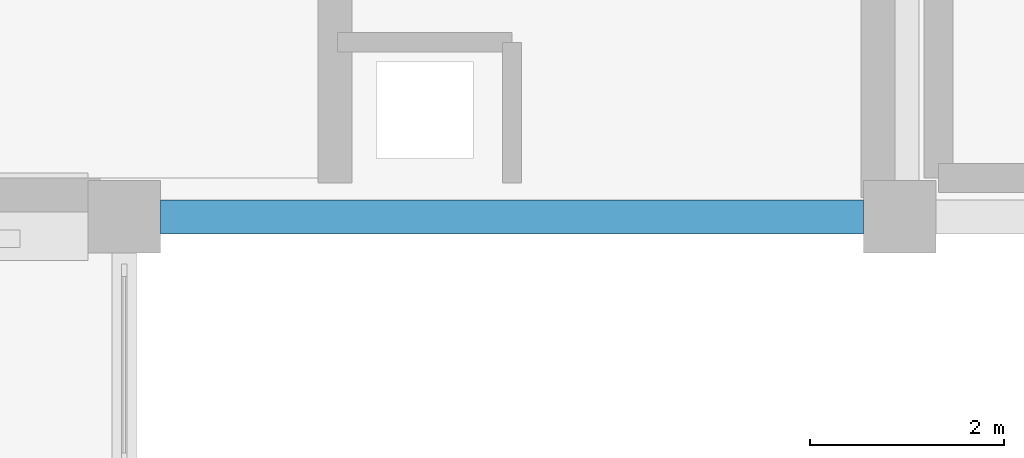
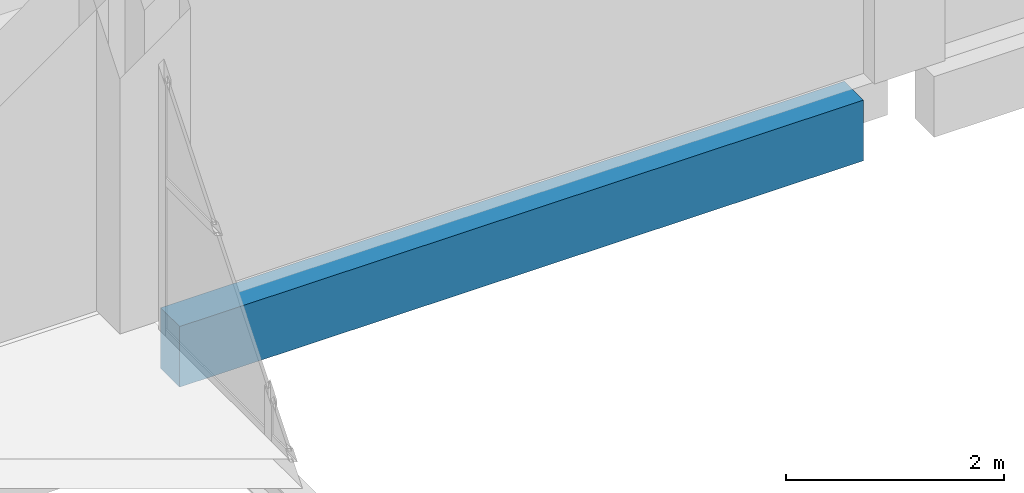
# One storey, part 12 of 53: 1 beam.
"""IFC4 building model written with IfcOpenShell, lengths in metres."""

import ifcopenshell
import ifcopenshell.guid

model = None  # the IFC model being written
_history = None  # IfcOwnerHistory: only IFC2X3 demands one
_inside = {}  # id of a spatial element -> (the spatial element, [elements in it])
_under = {}  # id of a project, library or spatial element -> (it, [spatial elements below it])
_declared = {}  # id of a project -> (the project, [libraries it declares])
_typed = {}  # id of a type object -> (the type object, [elements of that type])
_made_of = {}  # id of a material, layer set ... -> (it, [elements and type objects made of it])


def new_model(schema):
    """Start an empty IFC model of exactly this schema.

    Asked for "IFC4X3", IfcOpenShell would pick the latest addendum, in which some entities
    have other attributes; the version numbers below select the first issue.
    IFC2X3 requires an IfcOwnerHistory on every rooted entity: one is made here for all.
    """
    global model, _history
    if schema == "IFC4X3":
        model = ifcopenshell.file(schema_version=(4, 3, 0, 0))
    else:
        model = ifcopenshell.file(schema=schema)
    _inside.clear()
    _under.clear()
    _declared.clear()
    _typed.clear()
    _made_of.clear()
    _history = None
    if model.schema == "IFC2X3":
        org = make("IfcOrganization", Name="unknown")
        user = make(
            "IfcPersonAndOrganization",
            ThePerson=make("IfcPerson", FamilyName="unknown"),
            TheOrganization=org,
        )
        app = make(
            "IfcApplication",
            ApplicationDeveloper=org,
            Version="unknown",
            ApplicationFullName="unknown",
            ApplicationIdentifier="unknown",
        )
        _history = make(
            "IfcOwnerHistory",
            OwningUser=user,
            OwningApplication=app,
            ChangeAction="ADDED",
            CreationDate=0,
        )
    return model


def make(cls, **values):
    """One entity of the class cls with the attributes given. An attribute that is None is left unset."""
    return model.create_entity(
        cls, **{name: value for name, value in values.items() if value is not None}
    )


def rooted(cls, **values):
    """An entity with a GlobalId (a new one), such as an element, a storey or a relation."""
    return make(cls, GlobalId=ifcopenshell.guid.new(), OwnerHistory=_history, **values)


def si_unit(unit_type, name, prefix=None):
    """IfcSIUnit, for example si_unit("LENGTHUNIT", "METRE", prefix="MILLI")."""
    return make("IfcSIUnit", UnitType=unit_type, Prefix=prefix, Name=name)


def assignment(units):
    """IfcUnitAssignment: the units of a project."""
    return None if units is None else make("IfcUnitAssignment", Units=units)


def point(xyz):
    """IfcCartesianPoint."""
    return None if xyz is None else make("IfcCartesianPoint", Coordinates=xyz)


def direction(xyz):
    """IfcDirection."""
    return None if xyz is None else make("IfcDirection", DirectionRatios=xyz)


def frame(location, z_axis=None, x_axis=None):
    """IfcAxis2Placement3D, a coordinate frame: its origin and axes. An axis left out is left unset."""
    return make(
        "IfcAxis2Placement3D",
        Location=point(location),
        Axis=direction(z_axis),
        RefDirection=direction(x_axis),
    )


def frame_2d(location, x_axis=None):
    """IfcAxis2Placement2D, a coordinate frame in the plane: its origin and x axis."""
    return make(
        "IfcAxis2Placement2D", Location=point(location), RefDirection=direction(x_axis)
    )


def origin():
    """The frame at (0, 0, 0) with its axes left unset."""
    return frame((0.0, 0.0, 0.0))


def origin_2d():
    """The frame at (0, 0) in the plane with its x axis left unset."""
    return frame_2d((0.0, 0.0))


def place(relative_to, where):
    """IfcLocalPlacement: puts the frame where relative to a parent placement (None: the world)."""
    return make(
        "IfcLocalPlacement", PlacementRelTo=relative_to, RelativePlacement=where
    )


def context(
    kind, dimensions, precision=None, world=None, true_north=None, identifier=None
):
    """IfcGeometricRepresentationContext, for example the 3D "Model" context."""
    return make(
        "IfcGeometricRepresentationContext",
        ContextIdentifier=identifier,
        ContextType=kind,
        CoordinateSpaceDimension=dimensions,
        Precision=precision,
        WorldCoordinateSystem=world,
        TrueNorth=true_north,
    )


def subcontext(parent, identifier, kind, view, scale=None):
    """IfcGeometricRepresentationSubContext, for example "Body" below "Model"."""
    return make(
        "IfcGeometricRepresentationSubContext",
        ContextIdentifier=identifier,
        ContextType=kind,
        ParentContext=parent,
        TargetScale=scale,
        TargetView=view,
    )


def project(units=None, contexts=None):
    """IfcProject with its units and contexts."""
    return rooted(
        "IfcProject",
        Name="project",
        RepresentationContexts=contexts,
        UnitsInContext=assignment(units),
    )


def spatial(cls, under=None, at=None, **own):
    """A site, building, storey or space (cls), placed at a placement, below another one or the project."""
    s = rooted(cls, ObjectPlacement=at, **own)
    if under is not None:
        _under.setdefault(under.id(), (under, []))[1].append(s)
    return s


def profile(cls, at=None, kind="AREA", **sizes):
    """A parametric profile (cls). Its sizes go by their IFC names, for example OverallWidth=200.0."""
    return make(cls, ProfileType=kind, Position=at, **sizes)


def rectangle(**sizes):
    """IfcRectangleProfileDef."""
    return profile("IfcRectangleProfileDef", **sizes)


def extrude(swept, where, along, depth):
    """IfcExtrudedAreaSolid: the profile swept, set in the frame where, extruded along a direction by depth."""
    return make(
        "IfcExtrudedAreaSolid",
        SweptArea=swept,
        Position=where,
        ExtrudedDirection=direction(along),
        Depth=depth,
    )


def shape(context_of_items, identifier, shape_type, items):
    """IfcShapeRepresentation: the items that make up one representation, for example the "Body"."""
    return make(
        "IfcShapeRepresentation",
        ContextOfItems=context_of_items,
        RepresentationIdentifier=identifier,
        RepresentationType=shape_type,
        Items=items,
    )


def material(Name=None, Category=None):
    """IfcMaterial."""
    return make("IfcMaterial", Name=Name, Category=Category)


def material_profile(
    of_material, cross_section, Name=None, Category=None, Priority=None
):
    """IfcMaterialProfile: a cross section and its material."""
    return make(
        "IfcMaterialProfile",
        Name=Name,
        Material=of_material,
        Profile=cross_section,
        Priority=Priority,
        Category=Category,
    )


def profile_set(profiles, Name=None, composite=None):
    """IfcMaterialProfileSet."""
    return make(
        "IfcMaterialProfileSet",
        Name=Name,
        MaterialProfiles=profiles,
        CompositeProfile=composite,
    )


def made_of(thing, what):
    """Note that an element or type object is made of a material, layer set ...; save() writes the relation."""
    if what is not None:
        _made_of.setdefault(what.id(), (what, []))[1].append(thing)
    return thing


def type_object(cls, material=None, **own):
    """A type object (cls), such as IfcWallType, which elements share."""
    return made_of(rooted(cls, **own), material)


def element(
    cls,
    number,
    at=None,
    inside=None,
    cuts=None,
    type_object=None,
    material=None,
    context=None,
    identifier="Body",
    shape_type=None,
    held_by="IfcProductDefinitionShape",
    body=None,
    shapes=None,
    **own,
):
    """One element of the class cls, such as IfcWall. Its Tag is "e" and its number.

    at: its placement. inside: the storey or other place that contains it. cuts: it is an
    opening in that element (IfcRelVoidsElement). A single representation is given by context,
    identifier, shape_type and body (its items); several are given by shapes. held_by: the class
    of the entity that holds the representations. save() writes the other relations.
    """
    e = rooted(cls, Tag="e%d" % number, ObjectPlacement=at, **own)
    if body is not None:
        shapes = [shape(context, identifier, shape_type, body)]
    if shapes is not None:
        e.Representation = make(held_by, Representations=shapes)
    if inside is not None:
        _inside.setdefault(inside.id(), (inside, []))[1].append(e)
    if cuts is not None:
        rooted(
            "IfcRelVoidsElement", RelatingBuildingElement=cuts, RelatedOpeningElement=e
        )
    if type_object is not None:
        _typed.setdefault(type_object.id(), (type_object, []))[1].append(e)
    return made_of(e, material)


def aggregate(whole, parts):
    """IfcRelAggregates: a whole, such as a stair, and the parts it consists of."""
    return rooted("IfcRelAggregates", RelatingObject=whole, RelatedObjects=parts)


def save(model, path):
    """Write the relations noted so far, then the file.

    IfcRelAggregates (storeys below a building ...), IfcRelContainedInSpatialStructure (elements
    in a storey), IfcRelDefinesByType, IfcRelAssociatesMaterial and IfcRelDeclares: one each for
    every whole, place, type object, material and project.
    """
    for whole, parts in _under.values():
        aggregate(whole, parts)
    for where, things in _inside.values():
        rooted(
            "IfcRelContainedInSpatialStructure",
            RelatedElements=things,
            RelatingStructure=where,
        )
    for kind, things in _typed.values():
        rooted("IfcRelDefinesByType", RelatedObjects=things, RelatingType=kind)
    for what, things in _made_of.values():
        rooted("IfcRelAssociatesMaterial", RelatedObjects=things, RelatingMaterial=what)
    for by, libraries in _declared.values():
        rooted("IfcRelDeclares", RelatingContext=by, RelatedDefinitions=libraries)
    model.write(path)


model = new_model("IFC4")

# Units and contexts
model_context = context("Model", 3, precision=1e-05, world=origin(), true_north=direction((0.0, 1.0)))
body_context = subcontext(model_context, "Body", "Model", "MODEL_VIEW")
ifc_project = project(units=[si_unit("LENGTHUNIT", "METRE"), si_unit("AREAUNIT", "SQUARE_METRE"), si_unit("VOLUMEUNIT", "CUBIC_METRE"), si_unit("PLANEANGLEUNIT", "RADIAN"), si_unit("MASSUNIT", "GRAM", prefix="KILO")], contexts=[model_context])

# Site, building, storey
site_placement = place(None, origin())
site = spatial("IfcSite", under=ifc_project, at=site_placement, CompositionType="ELEMENT")
building_placement = place(site_placement, origin())
building = spatial("IfcBuilding", under=site, at=building_placement, Name="Qorikala Patio Media Centre", CompositionType="ELEMENT")
storey_placement = place(building_placement, frame((0.0, 0.0, 5.39990234375)))
storey = spatial("IfcBuildingStorey", under=building, at=storey_placement, Name="L01", CompositionType="ELEMENT", Elevation=5.39990234375)

# Beam
ifc_material = material(Name="Concrete C35/45", Category="concrete")
ifc_material_profile = material_profile(ifc_material, rectangle(XDim=0.35009765625, YDim=0.679931640625, at=origin_2d()), Name="RC 350x680")
ifc_profile_set = profile_set([ifc_material_profile], Name="Concrete C35/45")
beam_type = type_object("IfcBeamType", Name="SP-350X680", PredefinedType="SPANDREL", material=ifc_profile_set)
beam_placement = place(storey_placement, frame((59.375, 64.0, -0.639892578125), z_axis=(1.0, 0.0, 0.0), x_axis=(0.0, 1.0, 0.0)))
element("IfcBeam", 1, at=beam_placement, inside=storey, type_object=beam_type, Name="L01 Grid 64 Beam 0503", PredefinedType="SPANDREL", context=body_context, shape_type="SweptSolid", body=[
    extrude(rectangle(XDim=0.35009765625, YDim=0.679931640625, at=origin_2d()), origin(), (0.0, 0.0, 1.0), 7.25),
])

save(model, "model.ifc")
